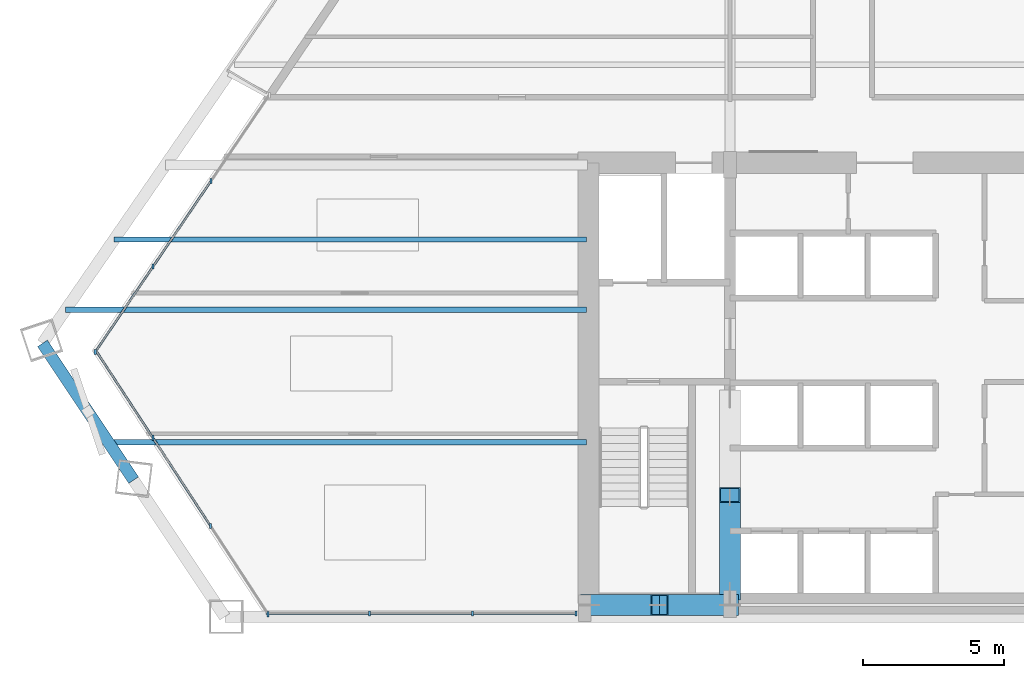
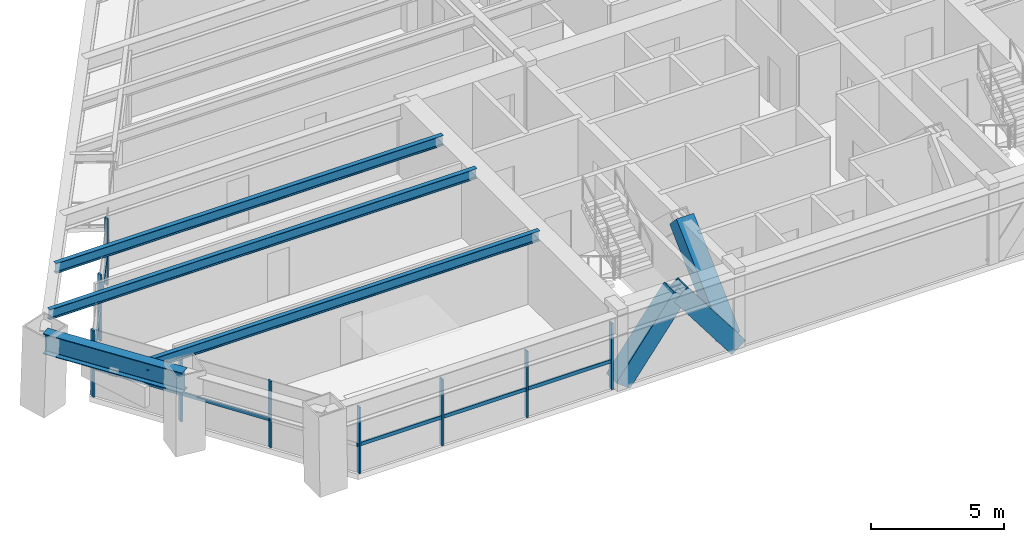
# One storey, part 2 of 14: 19 members, 4 beams, 3 elements without a shape of their own.
"""IFC4 building model written with IfcOpenShell, lengths in metres."""

from ifc_helpers import new_model, si_unit, direction, frame, origin, origin_2d, place, context, subcontext, project, spatial, rectangle, hollow_rectangle, i_section, extrude, source, transform, mapped, material, material_profile, profile_set, type_object, type_shapes, element, aggregate, save


model = new_model("IFC4")

# Units and contexts
model_context = context("Model", 3, precision=1e-05, world=origin(), true_north=direction((0.0, 1.0)))
body_context = subcontext(model_context, "Body", "Model", "MODEL_VIEW")
ifc_project = project(units=[si_unit("LENGTHUNIT", "METRE"), si_unit("AREAUNIT", "SQUARE_METRE"), si_unit("VOLUMEUNIT", "CUBIC_METRE"), si_unit("PLANEANGLEUNIT", "RADIAN"), si_unit("MASSUNIT", "GRAM", prefix="KILO")], contexts=[model_context])

# Site, building, storey
site_placement = place(None, origin())
site = spatial("IfcSite", under=ifc_project, at=site_placement, CompositionType="ELEMENT")
building_placement = place(site_placement, origin())
building = spatial("IfcBuilding", under=site, at=building_placement, Name="Varnakhor Terracotta Tower", CompositionType="ELEMENT")
storey_placement = place(building_placement, frame((0.0, 0.0, 80.300048828125)))
storey = spatial("IfcBuildingStorey", under=building, at=storey_placement, Name="L19", CompositionType="ELEMENT", Elevation=80.300048828125)

# Members
ifc_material_1 = material(Name="Steel S460", Category="steel")
ifc_material_profile_1 = material_profile(ifc_material_1, hollow_rectangle(XDim=0.75, YDim=0.75, WallThickness=0.044921875, at=origin_2d()), Name="HSS750X750X45")
ifc_profile_set_1 = profile_set([ifc_material_profile_1], Name="Steel S460")
member_type_1 = type_object("IfcMemberType", Name="MBR-MEGA-750", PredefinedType="BRACE", material=ifc_profile_set_1)
shared_shape_1 = source(origin(), body_context, "Body", "SweptSolid", [
    extrude(hollow_rectangle(XDim=0.75, YDim=0.75, WallThickness=0.044921875, at=origin_2d()), origin(), (0.0, 0.0, 1.0), 4.14013671875),
])
type_shapes(member_type_1, [shared_shape_1])
for number, where, z_axis, x_axis, name in (
    (1, (-10.5, 0.419921875, 0.0), (0.603852011179, 0.0, 0.797096448741), (0.0, 1.0, 0.0), "L19 Core Coupled Brace CSWA"),
    (2, (-5.5, 0.419921875, 0.0), (-0.603852011179, 0.0, 0.797096448741), (0.0, -1.0, 0.0), "L19 Core Coupled Brace CSWB"),
):
    element("IfcMember", number, at=place(storey_placement, frame(where, z_axis=z_axis, x_axis=x_axis)), inside=storey, type_object=member_type_1, Name=name, PredefinedType="BRACE", context=body_context, shape_type="MappedRepresentation", body=[
        mapped(shared_shape_1, transform((0.0, 0.0, 0.0), scale=1.0)),
    ])
shared_shape_2 = source(origin(), body_context, "Body", "SweptSolid", [
    extrude(hollow_rectangle(XDim=0.75, YDim=0.75, WallThickness=0.044921875, at=origin_2d()), origin(), (0.0, 0.0, 1.0), 4.792236328125),
])
member_1_placement = place(storey_placement, frame((-5.5, 0.85009765625, 0.0), z_axis=(0.0, 0.725110085518, 0.688632967466), x_axis=(-1.0, 0.0, 0.0)))
element("IfcMember", 3, at=member_1_placement, inside=storey, type_object=member_type_1, Name="L19 Core Coupled Brace CWWA", PredefinedType="BRACE", context=body_context, shape_type="MappedRepresentation", body=[
    mapped(shared_shape_2, transform((0.0, 0.0, 0.0), scale=1.0)),
])

# Beams
ifc_material_2 = material(Name="Steel S355", Category="steel")
ifc_material_profile_2 = material_profile(ifc_material_2, i_section(OverallWidth=0.41796875, OverallDepth=0.927001953125, WebThickness=0.01904296875, FlangeThickness=0.031982421875, FilletRadius=0.01806640625, at=origin_2d()), Name="W36X231")
ifc_profile_set_2 = profile_set([ifc_material_profile_2], Name="Steel S355")
beam_type_1 = type_object("IfcBeamType", Name="BM-W36X231", PredefinedType="BEAM", material=ifc_profile_set_2)
shared_shape_3 = source(origin(), body_context, "Body", "SweptSolid", [
    extrude(i_section(OverallWidth=0.41796875, OverallDepth=0.927001953125, WebThickness=0.01904296875, FlangeThickness=0.031982421875, FilletRadius=0.01806640625, at=origin_2d()), origin(), (0.0, 0.0, 1.0), 5.8359375),
])
beam_1_placement = place(storey_placement, frame((-29.91259765625, 9.712890625, 2.986572265625), z_axis=(0.554545724277, -0.832153254927, 0.0), x_axis=(0.832153254927, 0.554545724277, 0.0)))
element("IfcBeam", 4, at=beam_1_placement, inside=storey, type_object=beam_type_1, Name="L19 Perimeter Spandrel 7", PredefinedType="BEAM", context=body_context, shape_type="MappedRepresentation", body=[
    mapped(shared_shape_3, transform((0.0, 0.0, 0.0), scale=1.0)),
])
ifc_material_profile_3 = material_profile(ifc_material_2, i_section(OverallWidth=0.19189453125, OverallDepth=0.462890625, WebThickness=0.010498046875, FlangeThickness=0.017578125, FilletRadius=0.01806640625, at=origin_2d()), Name="W18X60")
ifc_profile_set_3 = profile_set([ifc_material_profile_3], Name="Steel S355")
beam_type_2 = type_object("IfcBeamType", Name="JST-W18X60", PredefinedType="JOIST", material=ifc_profile_set_3)
shared_shape_4 = source(origin(), body_context, "Body", "SweptSolid", [
    extrude(i_section(OverallWidth=0.19189453125, OverallDepth=0.462890625, WebThickness=0.010498046875, FlangeThickness=0.017578125, FilletRadius=0.01806640625, at=origin_2d()), origin(), (0.0, 0.0, 1.0), 16.971435546875),
])
beam_2_placement = place(storey_placement, frame((-27.571533203125, 6.199951171875, 3.218505859375), z_axis=(1.0, 0.0, 0.0), x_axis=(0.0, 1.0, 0.0)))
element("IfcBeam", 5, at=beam_2_placement, inside=storey, type_object=beam_type_2, Name="L19 Floor Joist W1", PredefinedType="JOIST", context=body_context, shape_type="MappedRepresentation", body=[
    mapped(shared_shape_4, transform((0.0, 0.0, 0.0), scale=1.0)),
])
shared_shape_5 = source(origin(), body_context, "Body", "SweptSolid", [
    extrude(i_section(OverallWidth=0.19189453125, OverallDepth=0.462890625, WebThickness=0.010498046875, FlangeThickness=0.017578125, FilletRadius=0.01806640625, at=origin_2d()), origin(), (0.0, 0.0, 1.0), 18.493896484375),
])
beam_3_placement = place(storey_placement, frame((-29.093994140625, 10.89990234375, 3.218505859375), z_axis=(1.0, 0.0, 0.0), x_axis=(0.0, 1.0, 0.0)))
element("IfcBeam", 6, at=beam_3_placement, inside=storey, type_object=beam_type_2, Name="L19 Floor Joist W2", PredefinedType="JOIST", context=body_context, shape_type="MappedRepresentation", body=[
    mapped(shared_shape_5, transform((0.0, 0.0, 0.0), scale=1.0)),
])
shared_shape_6 = source(origin(), body_context, "Body", "SweptSolid", [
    extrude(i_section(OverallWidth=0.19189453125, OverallDepth=0.462890625, WebThickness=0.010498046875, FlangeThickness=0.017578125, FilletRadius=0.01806640625, at=origin_2d()), origin(), (0.0, 0.0, 1.0), 16.77001953125),
])
beam_4_placement = place(storey_placement, frame((-27.3701171875, 13.39990234375, 3.218505859375), z_axis=(1.0, 0.0, 0.0), x_axis=(0.0, 1.0, 0.0)))
element("IfcBeam", 7, at=beam_4_placement, inside=storey, type_object=beam_type_2, Name="L19 Floor Joist W3", PredefinedType="JOIST", context=body_context, shape_type="MappedRepresentation", body=[
    mapped(shared_shape_6, transform((0.0, 0.0, 0.0), scale=1.0)),
])

# Curtain wall, members
ifc_material_3 = material(Name="Anodised Aluminium Curtain Wall System", Category="aluminium")
curtain_wall_type = type_object("IfcCurtainWallType", Name="CW-SYS-LOW-OFFICE", PredefinedType="NOTDEFINED", material=ifc_material_3)
curtain_wall_1_placement = place(storey_placement, origin())
curtain_wall_1 = element("IfcCurtainWall", 8, at=curtain_wall_1_placement, inside=storey, type_object=curtain_wall_type, Name="L19 W Facet Curtain Wall 1", PredefinedType="NOTDEFINED")
ifc_material_4 = material(Name="Anodised Aluminium 6063-T6", Category="aluminium")
ifc_material_profile_4 = material_profile(ifc_material_4, rectangle(XDim=0.074951171875, YDim=0.18505859375, at=origin_2d()), Name="ALU MULLION 75x185")
ifc_profile_set_4 = profile_set([ifc_material_profile_4], Name="Anodised Aluminium 6063-T6")
member_type_2 = type_object("IfcMemberType", Name="CWM-02", PredefinedType="MULLION", material=ifc_profile_set_4)
shared_shape_7 = source(origin(), body_context, "Body", "SweptSolid", [
    extrude(rectangle(XDim=0.074951171875, YDim=0.18505859375, at=origin_2d()), origin(), (0.0, 0.0, 1.0), 3.030029296875),
])
type_shapes(member_type_2, [shared_shape_7])
member_2_placement = place(storey_placement, frame((-28.0380859375, 9.40576171875, 0.0), z_axis=(0.0, 0.0, 1.0), x_axis=(1.0, 0.0, 0.0)))
member_2 = element("IfcMember", 9, at=member_2_placement, type_object=member_type_2, Name="L19 W Facet Curtain Wall 1 Mullion 1", PredefinedType="MULLION", context=body_context, shape_type="MappedRepresentation", body=[
    mapped(shared_shape_7, transform((0.0, 0.0, 0.0), scale=1.0)),
])
member_3_placement = place(storey_placement, frame((-25.9853515625, 12.439453125, 0.0), z_axis=(0.0, 0.0, 1.0), x_axis=(1.0, 0.0, 0.0)))
member_3 = element("IfcMember", 10, at=member_3_placement, type_object=member_type_2, Name="L19 W Facet Curtain Wall 1 Mullion 2", PredefinedType="MULLION", context=body_context, shape_type="MappedRepresentation", body=[
    mapped(shared_shape_7, transform((0.0, 0.0, 0.0), scale=1.0)),
])
member_4_placement = place(storey_placement, frame((-23.9326171875, 15.473388671875, 0.0), z_axis=(0.0, 0.0, 1.0), x_axis=(1.0, 0.0, 0.0)))
member_4 = element("IfcMember", 11, at=member_4_placement, type_object=member_type_2, Name="L19 W Facet Curtain Wall 1 Mullion 3", PredefinedType="MULLION", context=body_context, shape_type="MappedRepresentation", body=[
    mapped(shared_shape_7, transform((0.0, 0.0, 0.0), scale=1.0)),
])

curtain_wall_2_placement = place(storey_placement, origin())
curtain_wall_2 = element("IfcCurtainWall", 12, at=curtain_wall_2_placement, inside=storey, type_object=curtain_wall_type, Name="L19 South Wing Curtain Wall SSW", PredefinedType="NOTDEFINED")
member_5_placement = place(storey_placement, frame((-10.969970703125, 0.1201171875, 0.0), z_axis=(0.0, 0.0, 1.0), x_axis=(1.0, 0.0, 0.0)))
member_5 = element("IfcMember", 13, at=member_5_placement, type_object=member_type_2, Name="L19 South Wing Curtain Wall SSW Mullion 1", PredefinedType="MULLION", context=body_context, shape_type="MappedRepresentation", body=[
    mapped(shared_shape_7, transform((0.0, 0.0, 0.0), scale=1.0)),
])
member_6_placement = place(storey_placement, frame((-14.6376953125, 0.1201171875, 0.0), z_axis=(0.0, 0.0, 1.0), x_axis=(1.0, 0.0, 0.0)))
member_6 = element("IfcMember", 14, at=member_6_placement, type_object=member_type_2, Name="L19 South Wing Curtain Wall SSW Mullion 2", PredefinedType="MULLION", context=body_context, shape_type="MappedRepresentation", body=[
    mapped(shared_shape_7, transform((0.0, 0.0, 0.0), scale=1.0)),
])
member_7_placement = place(storey_placement, frame((-18.30517578125, 0.1201171875, 0.0), z_axis=(0.0, 0.0, 1.0), x_axis=(1.0, 0.0, 0.0)))
member_7 = element("IfcMember", 15, at=member_7_placement, type_object=member_type_2, Name="L19 South Wing Curtain Wall SSW Mullion 3", PredefinedType="MULLION", context=body_context, shape_type="MappedRepresentation", body=[
    mapped(shared_shape_7, transform((0.0, 0.0, 0.0), scale=1.0)),
])

curtain_wall_3_placement = place(storey_placement, origin())
curtain_wall_3 = element("IfcCurtainWall", 16, at=curtain_wall_3_placement, inside=storey, type_object=curtain_wall_type, Name="L19 Facet Curtain Wall 6", PredefinedType="NOTDEFINED")
member_8_placement = place(storey_placement, frame((-21.898681640625, 0.0908203125, 0.0), z_axis=(0.0, 0.0, 1.0), x_axis=(1.0, 0.0, 0.0)))
member_8 = element("IfcMember", 17, at=member_8_placement, type_object=member_type_2, Name="L19 Facet Curtain Wall 6 Mullion 1", PredefinedType="MULLION", context=body_context, shape_type="MappedRepresentation", body=[
    mapped(shared_shape_7, transform((0.0, 0.0, 0.0), scale=1.0)),
])
member_9_placement = place(storey_placement, frame((-23.94482421875, 3.223388671875, 0.0), z_axis=(0.0, 0.0, 1.0), x_axis=(1.0, 0.0, 0.0)))
member_9 = element("IfcMember", 18, at=member_9_placement, type_object=member_type_2, Name="L19 Facet Curtain Wall 6 Mullion 2", PredefinedType="MULLION", context=body_context, shape_type="MappedRepresentation", body=[
    mapped(shared_shape_7, transform((0.0, 0.0, 0.0), scale=1.0)),
])
member_10_placement = place(storey_placement, frame((-25.9912109375, 6.356201171875, 0.0), z_axis=(0.0, 0.0, 1.0), x_axis=(1.0, 0.0, 0.0)))
member_10 = element("IfcMember", 19, at=member_10_placement, type_object=member_type_2, Name="L19 Facet Curtain Wall 6 Mullion 3", PredefinedType="MULLION", context=body_context, shape_type="MappedRepresentation", body=[
    mapped(shared_shape_7, transform((0.0, 0.0, 0.0), scale=1.0)),
])

# Member
ifc_material_profile_5 = material_profile(ifc_material_4, rectangle(XDim=0.074951171875, YDim=0.1650390625, at=origin_2d()), Name="ALU TRANSOM 75x165")
ifc_profile_set_5 = profile_set([ifc_material_profile_5], Name="Anodised Aluminium 6063-T6")
member_type_3 = type_object("IfcMemberType", Name="CWT-02", PredefinedType="USERDEFINED", material=ifc_profile_set_5)
shared_shape_8 = source(origin(), body_context, "Body", "SweptSolid", [
    extrude(rectangle(XDim=0.074951171875, YDim=0.1650390625, at=origin_2d()), origin(), (0.0, 0.0, 1.0), 3.662841796875),
])
member_11_placement = place(storey_placement, frame((-28.0380859375, 9.40576171875, 1.2724609375), z_axis=(0.560408886564, 0.828216082831, 0.0), x_axis=(-0.828216082831, 0.560408886564, 0.0)))
member_11 = element("IfcMember", 20, at=member_11_placement, type_object=member_type_3, Name="L19 W Facet Curtain Wall 1 Transom 1", ObjectType="TRANSOM", PredefinedType="USERDEFINED", context=body_context, shape_type="MappedRepresentation", body=[
    mapped(shared_shape_8, transform((0.0, 0.0, 0.0), scale=1.0)),
])

shared_shape_9 = source(origin(), body_context, "Body", "SweptSolid", [
    extrude(rectangle(XDim=0.074951171875, YDim=0.1650390625, at=origin_2d()), origin(), (0.0, 0.0, 1.0), 3.6630859375),
])
member_12_placement = place(storey_placement, frame((-25.9853515625, 12.439453125, 1.2724609375), z_axis=(0.560377952107, 0.828237013658, 0.0), x_axis=(-0.828237013658, 0.560377952107, 0.0)))
member_12 = element("IfcMember", 21, at=member_12_placement, type_object=member_type_3, Name="L19 W Facet Curtain Wall 1 Transom 2", ObjectType="TRANSOM", PredefinedType="USERDEFINED", context=body_context, shape_type="MappedRepresentation", body=[
    mapped(shared_shape_9, transform((0.0, 0.0, 0.0), scale=1.0)),
])

aggregate(curtain_wall_1, [member_2, member_11, member_3, member_12, member_4])

shared_shape_10 = source(origin(), body_context, "Body", "SweptSolid", [
    extrude(rectangle(XDim=0.074951171875, YDim=0.1650390625, at=origin_2d()), origin(), (0.0, 0.0, 1.0), 3.667724609375),
])
member_13_placement = place(storey_placement, frame((-10.969970703125, 0.1201171875, 1.2724609375), z_axis=(-1.0, 0.0, 0.0), x_axis=(0.0, -1.0, 0.0)))
member_13 = element("IfcMember", 22, at=member_13_placement, type_object=member_type_3, Name="L19 South Wing Curtain Wall SSW Transom 1", ObjectType="TRANSOM", PredefinedType="USERDEFINED", context=body_context, shape_type="MappedRepresentation", body=[
    mapped(shared_shape_10, transform((0.0, 0.0, 0.0), scale=1.0)),
])

shared_shape_11 = source(origin(), body_context, "Body", "SweptSolid", [
    extrude(rectangle(XDim=0.074951171875, YDim=0.1650390625, at=origin_2d()), origin(), (0.0, 0.0, 1.0), 3.66748046875),
])
member_14_placement = place(storey_placement, frame((-14.6376953125, 0.1201171875, 1.2724609375), z_axis=(-1.0, 0.0, 0.0), x_axis=(0.0, -1.0, 0.0)))
member_14 = element("IfcMember", 23, at=member_14_placement, type_object=member_type_3, Name="L19 South Wing Curtain Wall SSW Transom 2", ObjectType="TRANSOM", PredefinedType="USERDEFINED", context=body_context, shape_type="MappedRepresentation", body=[
    mapped(shared_shape_11, transform((0.0, 0.0, 0.0), scale=1.0)),
])

member_15_placement = place(storey_placement, frame((-18.30517578125, 0.1201171875, 1.2724609375), z_axis=(-1.0, 0.0, 0.0), x_axis=(0.0, -1.0, 0.0)))
member_15 = element("IfcMember", 24, at=member_15_placement, type_object=member_type_3, Name="L19 South Wing Curtain Wall SSW Transom 3", ObjectType="TRANSOM", PredefinedType="USERDEFINED", context=body_context, shape_type="MappedRepresentation", body=[
    mapped(shared_shape_11, transform((0.0, 0.0, 0.0), scale=1.0)),
])

aggregate(curtain_wall_2, [member_5, member_13, member_6, member_14, member_7, member_15])

shared_shape_12 = source(origin(), body_context, "Body", "SweptSolid", [
    extrude(rectangle(XDim=0.074951171875, YDim=0.1650390625, at=origin_2d()), origin(), (0.0, 0.0, 1.0), 3.74169921875),
])
member_16_placement = place(storey_placement, frame((-25.9912109375, 6.356201171875, 1.2724609375), z_axis=(-0.54690651292, 0.837193684953, 0.0), x_axis=(-0.837193684953, -0.54690651292, 0.0)))
member_16 = element("IfcMember", 25, at=member_16_placement, type_object=member_type_3, Name="L19 Facet Curtain Wall 6 Transom 3", ObjectType="TRANSOM", PredefinedType="USERDEFINED", context=body_context, shape_type="MappedRepresentation", body=[
    mapped(shared_shape_12, transform((0.0, 0.0, 0.0), scale=1.0)),
])

shared_shape_13 = source(origin(), body_context, "Body", "SweptSolid", [
    extrude(rectangle(XDim=0.074951171875, YDim=0.1650390625, at=origin_2d()), origin(), (0.0, 0.0, 1.0), 3.741943359375),
])
member_17_placement = place(storey_placement, frame((-23.94482421875, 3.223388671875, 1.2724609375), z_axis=(-0.54687663944, 0.837213199391, 0.0), x_axis=(-0.837213199391, -0.54687663944, 0.0)))
member_17 = element("IfcMember", 26, at=member_17_placement, type_object=member_type_3, Name="L19 Facet Curtain Wall 6 Transom 2", ObjectType="TRANSOM", PredefinedType="USERDEFINED", context=body_context, shape_type="MappedRepresentation", body=[
    mapped(shared_shape_13, transform((0.0, 0.0, 0.0), scale=1.0)),
])

aggregate(curtain_wall_3, [member_8, member_9, member_17, member_10, member_16])

save(model, "model.ifc")
